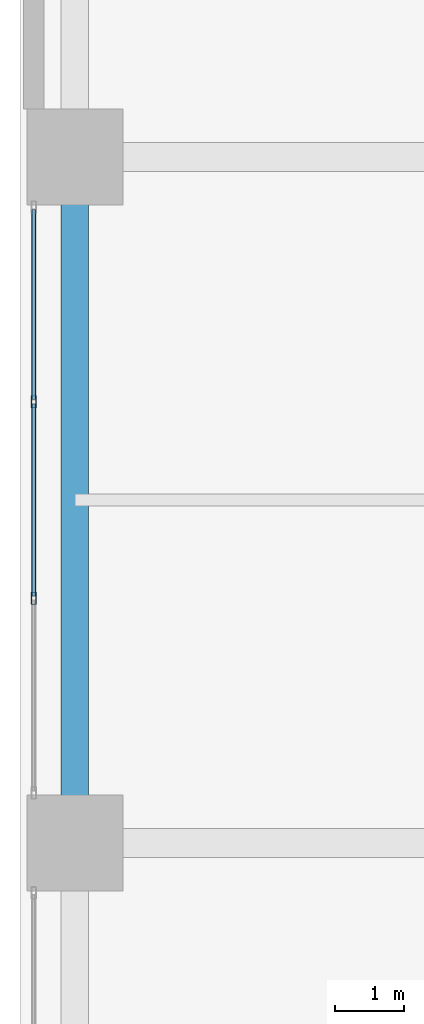
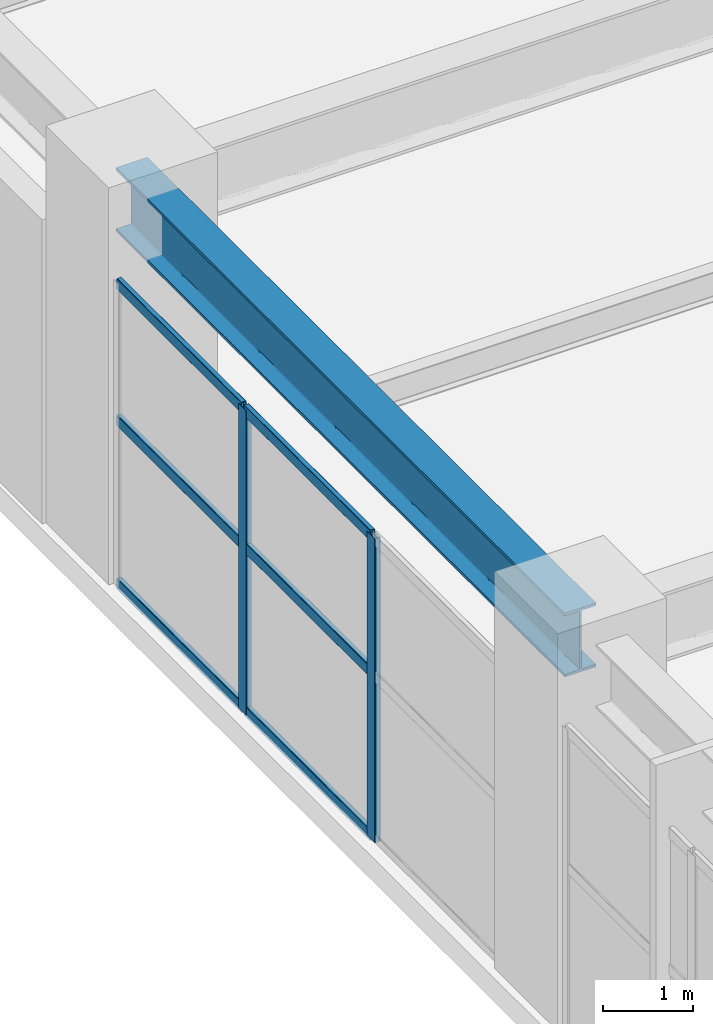
# One storey, part 9 of 28: 8 members, 1 beam, 1 element without a shape of its own.
"""IFC4 building model written with IfcOpenShell, lengths in metres."""

from ifc_helpers import new_model, si_unit, direction, frame, origin, origin_2d, place, context, subcontext, project, spatial, hollow_rectangle, i_section, extrude, material, layer, layer_set, material_profile, profile_set, type_object, element, aggregate, save


model = new_model("IFC4")

# Units and contexts
model_context = context("Model", 3, precision=1e-05, world=origin(), true_north=direction((0.0, 1.0)))
body_context = subcontext(model_context, "Body", "Model", "MODEL_VIEW")
ifc_project = project(units=[si_unit("LENGTHUNIT", "METRE"), si_unit("AREAUNIT", "SQUARE_METRE"), si_unit("VOLUMEUNIT", "CUBIC_METRE"), si_unit("PLANEANGLEUNIT", "RADIAN"), si_unit("MASSUNIT", "GRAM", prefix="KILO")], contexts=[model_context])

# Site, building, storey
site_placement = place(None, origin())
site = spatial("IfcSite", under=ifc_project, at=site_placement, CompositionType="ELEMENT")
building_placement = place(site_placement, origin())
building = spatial("IfcBuilding", under=site, at=building_placement, Name="Soratama Intermodal Tower", CompositionType="ELEMENT")
storey_placement = place(building_placement, frame((0.0, 0.0, 6.0)))
storey = spatial("IfcBuildingStorey", under=building, at=storey_placement, Name="L01", CompositionType="ELEMENT", Elevation=6.0)

# Beam
ifc_material_1 = material(Name="Structural steel ASTM A992 Grade 50", Category="steel")
ifc_material_profile_1 = material_profile(ifc_material_1, i_section(OverallWidth=0.403076171875, OverallDepth=0.867919921875, WebThickness=0.02099609375, FlangeThickness=0.03564453125, FilletRadius=0.01806640625, at=origin_2d()), Name="W33X241")
ifc_profile_set_1 = profile_set([ifc_material_profile_1], Name="Structural steel ASTM A992 Grade 50")
beam_type = type_object("IfcBeamType", Name="BM-POD-EXT-W33", PredefinedType="BEAM", material=ifc_profile_set_1)
beam_placement = place(storey_placement, frame((0.800048828125, 25.0, 4.64599609375), z_axis=(0.0, 1.0, 0.0), x_axis=(-1.0, 0.0, 0.0)))
element("IfcBeam", 1, at=beam_placement, inside=storey, type_object=beam_type, Name="L01 Station Girder Y1-3", PredefinedType="BEAM", context=body_context, shape_type="SweptSolid", body=[
    extrude(i_section(OverallWidth=0.403076171875, OverallDepth=0.867919921875, WebThickness=0.02099609375, FlangeThickness=0.03564453125, FilletRadius=0.01806640625, at=origin_2d()), origin(), (0.0, 0.0, 1.0), 10.0),
])

# Curtain wall, members
ifc_material_2 = material(Name="Double-glazed aluminium curtain wall", Category="aluminium")
ifc_layer = layer(ifc_material_2, 0.159912109375)
ifc_layer_set = layer_set([ifc_layer], Name="Double-glazed aluminium curtain wall")
curtain_wall_type = type_object("IfcCurtainWallType", Name="CW-SYS-1", PredefinedType="NOTDEFINED", material=ifc_layer_set)
curtain_wall_placement = place(storey_placement, origin())
curtain_wall = element("IfcCurtainWall", 2, at=curtain_wall_placement, inside=storey, type_object=curtain_wall_type, Name="L01 Station Curtain Wall W2", PredefinedType="NOTDEFINED")
ifc_material_3 = material(Name="Anodised aluminium AA 6063-T6", Category="aluminium")
ifc_material_profile_2 = material_profile(ifc_material_3, hollow_rectangle(XDim=0.074951171875, YDim=0.179931640625, WallThickness=0.006103515625, InnerFilletRadius=0.006103515625, OuterFilletRadius=0.011962890625, at=origin_2d()), Name="CWM180X75X6")
ifc_profile_set_2 = profile_set([ifc_material_profile_2], Name="Anodised aluminium AA 6063-T6")
member_type_1 = type_object("IfcMemberType", Name="MT-CWM-1", PredefinedType="MULLION", material=ifc_profile_set_2)
member_1_placement = place(storey_placement, frame((0.199951171875, 28.566650390625, 0.0), z_axis=(0.0, 0.0, 1.0), x_axis=(-1.0, 0.0, 0.0)))
member_1 = element("IfcMember", 3, at=member_1_placement, type_object=member_type_1, Name="CW-1 mullion 2", PredefinedType="MULLION", context=body_context, shape_type="SweptSolid", body=[
    extrude(hollow_rectangle(XDim=0.074951171875, YDim=0.179931640625, WallThickness=0.006103515625, InnerFilletRadius=0.006103515625, OuterFilletRadius=0.011962890625, at=origin_2d()), origin(), (0.0, 0.0, 1.0), 4.135986328125),
])
member_2_placement = place(storey_placement, frame((0.199951171875, 31.433349609375, 0.0), z_axis=(0.0, 0.0, 1.0), x_axis=(-1.0, 0.0, 0.0)))
member_2 = element("IfcMember", 4, at=member_2_placement, type_object=member_type_1, Name="CW-1 mullion 3", PredefinedType="MULLION", context=body_context, shape_type="SweptSolid", body=[
    extrude(hollow_rectangle(XDim=0.074951171875, YDim=0.179931640625, WallThickness=0.006103515625, InnerFilletRadius=0.006103515625, OuterFilletRadius=0.011962890625, at=origin_2d()), origin(), (0.0, 0.0, 1.0), 4.135986328125),
])
ifc_material_4 = material(Name="Anodised aluminium AA 6063-T6", Category="aluminium")
ifc_material_profile_3 = material_profile(ifc_material_4, hollow_rectangle(XDim=0.06494140625, YDim=0.14990234375, WallThickness=0.0048828125, InnerFilletRadius=0.0048828125, OuterFilletRadius=0.010009765625, at=origin_2d()), Name="CWT150X65X5")
ifc_profile_set_3 = profile_set([ifc_material_profile_3], Name="Anodised aluminium AA 6063-T6")
member_type_2 = type_object("IfcMemberType", Name="TT-CWT-1", PredefinedType="USERDEFINED", material=ifc_profile_set_3)
member_3_placement = place(storey_placement, frame((0.199951171875, 28.5966796875, 0.030029296875), z_axis=(0.0, 1.0, 0.0), x_axis=(-1.0, 0.0, 0.0)))
member_3 = element("IfcMember", 5, at=member_3_placement, type_object=member_type_2, Name="CW-1 transom 2.1", ObjectType="TRANSOM", PredefinedType="USERDEFINED", context=body_context, shape_type="SweptSolid", body=[
    extrude(hollow_rectangle(XDim=0.06494140625, YDim=0.14990234375, WallThickness=0.0048828125, InnerFilletRadius=0.0048828125, OuterFilletRadius=0.010009765625, at=origin_2d()), origin(), (0.0, 0.0, 1.0), 2.806640625),
])
member_4_placement = place(storey_placement, frame((0.199951171875, 28.5966796875, 2.25), z_axis=(0.0, 1.0, 0.0), x_axis=(-1.0, 0.0, 0.0)))
member_4 = element("IfcMember", 6, at=member_4_placement, type_object=member_type_2, Name="CW-1 transom 2.2", ObjectType="TRANSOM", PredefinedType="USERDEFINED", context=body_context, shape_type="SweptSolid", body=[
    extrude(hollow_rectangle(XDim=0.06494140625, YDim=0.14990234375, WallThickness=0.0048828125, InnerFilletRadius=0.0048828125, OuterFilletRadius=0.010009765625, at=origin_2d()), origin(), (0.0, 0.0, 1.0), 2.806640625),
])
member_5_placement = place(storey_placement, frame((0.199951171875, 28.5966796875, 4.10595703125), z_axis=(0.0, 1.0, 0.0), x_axis=(-1.0, 0.0, 0.0)))
member_5 = element("IfcMember", 7, at=member_5_placement, type_object=member_type_2, Name="CW-1 transom 2.3", ObjectType="TRANSOM", PredefinedType="USERDEFINED", context=body_context, shape_type="SweptSolid", body=[
    extrude(hollow_rectangle(XDim=0.06494140625, YDim=0.14990234375, WallThickness=0.0048828125, InnerFilletRadius=0.0048828125, OuterFilletRadius=0.010009765625, at=origin_2d()), origin(), (0.0, 0.0, 1.0), 2.806640625),
])
member_6_placement = place(storey_placement, frame((0.199951171875, 31.46337890625, 0.030029296875), z_axis=(0.0, 1.0, 0.0), x_axis=(-1.0, 0.0, 0.0)))
member_6 = element("IfcMember", 8, at=member_6_placement, type_object=member_type_2, Name="CW-1 transom 3.1", ObjectType="TRANSOM", PredefinedType="USERDEFINED", context=body_context, shape_type="SweptSolid", body=[
    extrude(hollow_rectangle(XDim=0.06494140625, YDim=0.14990234375, WallThickness=0.0048828125, InnerFilletRadius=0.0048828125, OuterFilletRadius=0.010009765625, at=origin_2d()), origin(), (0.0, 0.0, 1.0), 2.776611328125),
])
member_7_placement = place(storey_placement, frame((0.199951171875, 31.46337890625, 2.25), z_axis=(0.0, 1.0, 0.0), x_axis=(-1.0, 0.0, 0.0)))
member_7 = element("IfcMember", 9, at=member_7_placement, type_object=member_type_2, Name="CW-1 transom 3.2", ObjectType="TRANSOM", PredefinedType="USERDEFINED", context=body_context, shape_type="SweptSolid", body=[
    extrude(hollow_rectangle(XDim=0.06494140625, YDim=0.14990234375, WallThickness=0.0048828125, InnerFilletRadius=0.0048828125, OuterFilletRadius=0.010009765625, at=origin_2d()), origin(), (0.0, 0.0, 1.0), 2.776611328125),
])
member_8_placement = place(storey_placement, frame((0.199951171875, 31.46337890625, 4.10595703125), z_axis=(0.0, 1.0, 0.0), x_axis=(-1.0, 0.0, 0.0)))
member_8 = element("IfcMember", 10, at=member_8_placement, type_object=member_type_2, Name="CW-1 transom 3.3", ObjectType="TRANSOM", PredefinedType="USERDEFINED", context=body_context, shape_type="SweptSolid", body=[
    extrude(hollow_rectangle(XDim=0.06494140625, YDim=0.14990234375, WallThickness=0.0048828125, InnerFilletRadius=0.0048828125, OuterFilletRadius=0.010009765625, at=origin_2d()), origin(), (0.0, 0.0, 1.0), 2.776611328125),
])
aggregate(curtain_wall, [member_1, member_2, member_3, member_4, member_5, member_6, member_7, member_8])

save(model, "model.ifc")
